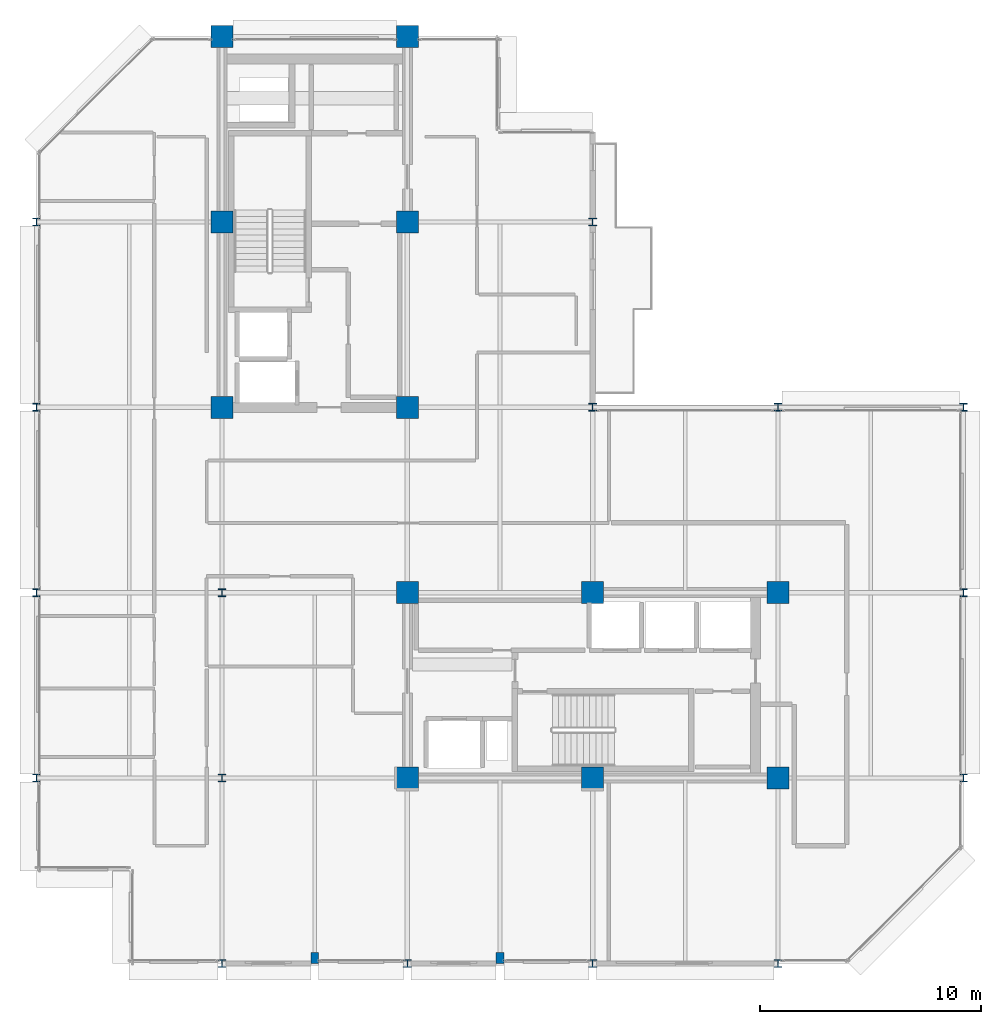
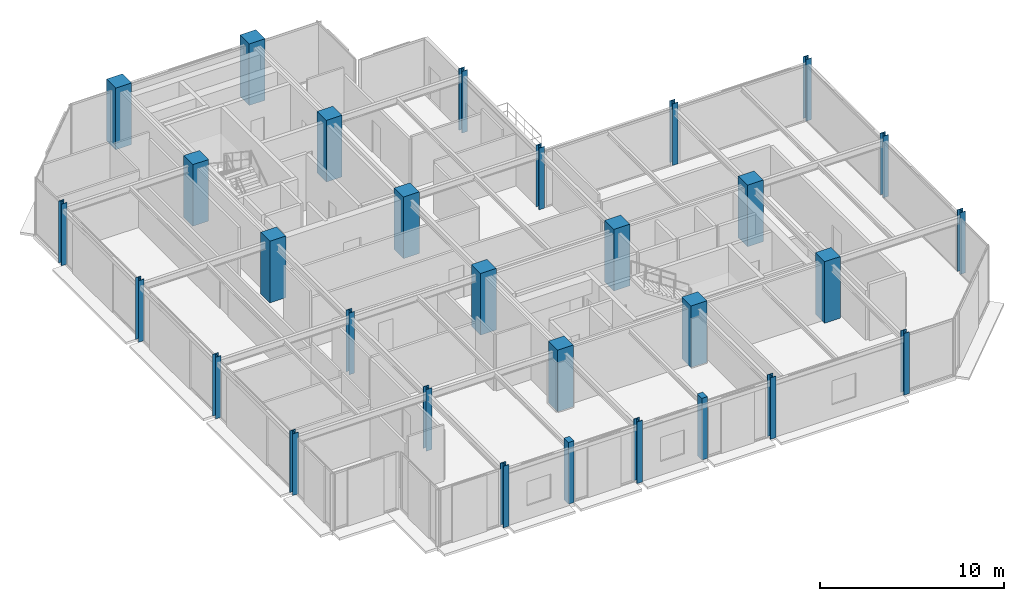
# One storey, part 1 of 26: 30 columns.
"""IFC4 building model written with IfcOpenShell, lengths in metres."""

from ifc_helpers import new_model, si_unit, direction, frame, origin, origin_2d, place, context, subcontext, project, spatial, rectangle, i_section, extrude, material, material_profile, profile_set, type_object, element, save


model = new_model("IFC4")

# Units and contexts
model_context = context("Model", 3, precision=1e-05, world=origin(), true_north=direction((0.0, 1.0)))
body_context = subcontext(model_context, "Body", "Model", "MODEL_VIEW")
ifc_project = project(units=[si_unit("LENGTHUNIT", "METRE"), si_unit("AREAUNIT", "SQUARE_METRE"), si_unit("VOLUMEUNIT", "CUBIC_METRE"), si_unit("PLANEANGLEUNIT", "RADIAN"), si_unit("MASSUNIT", "GRAM", prefix="KILO")], contexts=[model_context])

# Site, building, storey
site_placement = place(None, origin())
site = spatial("IfcSite", under=ifc_project, at=site_placement, CompositionType="ELEMENT")
building_placement = place(site_placement, origin())
building = spatial("IfcBuilding", under=site, at=building_placement, Name="Nerrivon Quay Data Exchange", CompositionType="ELEMENT")
storey_placement = place(building_placement, frame((0.0, 0.0, 241.10009765625)))
storey = spatial("IfcBuildingStorey", under=building, at=storey_placement, Name="L57", CompositionType="ELEMENT", Elevation=241.10009765625)

# Columns
ifc_material_1 = material(Name="Concrete S65 (65 MPa)", Category="concrete")
ifc_material_profile_1 = material_profile(ifc_material_1, rectangle(XDim=1.0, YDim=1.0, at=origin_2d()), Name="RC-COL-1000x1000")
ifc_profile_set_1 = profile_set([ifc_material_profile_1], Name="Concrete S65 (65 MPa)")
column_type_1 = type_object("IfcColumnType", Name="COL-C4-1000", PredefinedType="COLUMN", material=ifc_profile_set_1)
for number, where, z_axis, x_axis, name in (
    (1, (8.39990234375, 25.199951171875, 0.0), (0.0, 0.0, 1.0), (1.0, 0.0, 0.0), "L57 Column (8.4,25.2)"),
    (2, (8.39990234375, 33.60009765625, 0.0), (0.0, 0.0, 1.0), (1.0, 0.0, 0.0), "L57 Column (8.4,33.6)"),
    (3, (8.39990234375, 42.0, 0.0), (0.0, 0.0, 1.0), (1.0, 0.0, 0.0), "L57 Column (8.4,42.0)"),
    (4, (16.800048828125, 8.39990234375, 0.0), (0.0, 0.0, 1.0), (1.0, 0.0, 0.0), "L57 Column (16.8,8.4)"),
    (5, (16.800048828125, 16.800048828125, 0.0), (0.0, 0.0, 1.0), (1.0, 0.0, 0.0), "L57 Column (16.8,16.8)"),
    (6, (16.800048828125, 25.199951171875, 0.0), (0.0, 0.0, 1.0), (1.0, 0.0, 0.0), "L57 Column (16.8,25.2)"),
    (7, (16.800048828125, 33.60009765625, 0.0), (0.0, 0.0, 1.0), (1.0, 0.0, 0.0), "L57 Column (16.8,33.6)"),
    (8, (16.800048828125, 42.0, 0.0), (0.0, 0.0, 1.0), (1.0, 0.0, 0.0), "L57 Column (16.8,42.0)"),
    (9, (25.199951171875, 8.39990234375, 0.0), (0.0, 0.0, 1.0), (1.0, 0.0, 0.0), "L57 Column (25.2,8.4)"),
    (10, (25.199951171875, 16.800048828125, 0.0), (0.0, 0.0, 1.0), (1.0, 0.0, 0.0), "L57 Column (25.2,16.8)"),
    (11, (33.60009765625, 8.39990234375, 0.0), (0.0, 0.0, 1.0), (1.0, 0.0, 0.0), "L57 Column (33.6,8.4)"),
    (12, (33.60009765625, 16.800048828125, 0.0), (0.0, 0.0, 1.0), (1.0, 0.0, 0.0), "L57 Column (33.6,16.8)"),
):
    element("IfcColumn", number, at=place(storey_placement, frame(where, z_axis=z_axis, x_axis=x_axis)), inside=storey, type_object=column_type_1, Name=name, PredefinedType="COLUMN", context=body_context, shape_type="SweptSolid", body=[
        extrude(rectangle(XDim=1.0, YDim=1.0, at=origin_2d()), origin(), (0.0, 0.0, 1.0), 4.099853515625),
    ])
ifc_material_2 = material(Name="Steel Grade 350", Category="steel")
ifc_material_profile_2 = material_profile(ifc_material_2, i_section(OverallWidth=0.35009765625, OverallDepth=0.35009765625, WebThickness=0.02001953125, FlangeThickness=0.031982421875, at=origin_2d()), Name="350WC230")
ifc_profile_set_2 = profile_set([ifc_material_profile_2], Name="Steel Grade 350")
column_type_2 = type_object("IfcColumnType", Name="COL-SC3-350WC", PredefinedType="COLUMN", material=ifc_profile_set_2)
for number, where, z_axis, x_axis, name in (
    (13, (0.0, 8.39990234375, 0.0), (0.0, 0.0, 1.0), (1.0, 0.0, 0.0), "L57 Column (0.0,8.4)"),
    (14, (0.0, 16.800048828125, 0.0), (0.0, 0.0, 1.0), (1.0, 0.0, 0.0), "L57 Column (0.0,16.8)"),
    (15, (0.0, 25.199951171875, 0.0), (0.0, 0.0, 1.0), (1.0, 0.0, 0.0), "L57 Column (0.0,25.2)"),
    (16, (0.0, 33.60009765625, 0.0), (0.0, 0.0, 1.0), (1.0, 0.0, 0.0), "L57 Column (0.0,33.6)"),
    (17, (8.39990234375, 0.0, 0.0), (0.0, 0.0, 1.0), (1.0, 0.0, 0.0), "L57 Column (8.4,0.0)"),
    (18, (8.39990234375, 8.39990234375, 0.0), (0.0, 0.0, 1.0), (1.0, 0.0, 0.0), "L57 Column (8.4,8.4)"),
    (19, (8.39990234375, 16.800048828125, 0.0), (0.0, 0.0, 1.0), (1.0, 0.0, 0.0), "L57 Column (8.4,16.8)"),
    (20, (16.800048828125, 0.0, 0.0), (0.0, 0.0, 1.0), (1.0, 0.0, 0.0), "L57 Column (16.8,0.0)"),
    (21, (25.199951171875, 0.0, 0.0), (0.0, 0.0, 1.0), (1.0, 0.0, 0.0), "L57 Column (25.2,0.0)"),
    (22, (25.199951171875, 25.199951171875, 0.0), (0.0, 0.0, 1.0), (1.0, 0.0, 0.0), "L57 Column (25.2,25.2)"),
    (23, (25.199951171875, 33.60009765625, 0.0), (0.0, 0.0, 1.0), (1.0, 0.0, 0.0), "L57 Column (25.2,33.6)"),
    (24, (33.60009765625, 0.0, 0.0), (0.0, 0.0, 1.0), (1.0, 0.0, 0.0), "L57 Column (33.6,0.0)"),
    (25, (33.60009765625, 25.199951171875, 0.0), (0.0, 0.0, 1.0), (1.0, 0.0, 0.0), "L57 Column (33.6,25.2)"),
    (26, (42.0, 8.39990234375, 0.0), (0.0, 0.0, 1.0), (1.0, 0.0, 0.0), "L57 Column (42.0,8.4)"),
    (27, (42.0, 16.800048828125, 0.0), (0.0, 0.0, 1.0), (1.0, 0.0, 0.0), "L57 Column (42.0,16.8)"),
    (28, (42.0, 25.199951171875, 0.0), (0.0, 0.0, 1.0), (1.0, 0.0, 0.0), "L57 Column (42.0,25.2)"),
):
    element("IfcColumn", number, at=place(storey_placement, frame(where, z_axis=z_axis, x_axis=x_axis)), inside=storey, type_object=column_type_2, Name=name, PredefinedType="COLUMN", context=body_context, shape_type="SweptSolid", body=[
        extrude(i_section(OverallWidth=0.35009765625, OverallDepth=0.35009765625, WebThickness=0.02001953125, FlangeThickness=0.031982421875, at=origin_2d()), origin(), (0.0, 0.0, 1.0), 4.099853515625),
    ])
ifc_material_3 = material(Name="Concrete N50 (50 MPa)", Category="concrete")
ifc_material_profile_3 = material_profile(ifc_material_3, rectangle(XDim=0.35009765625, YDim=0.5, at=origin_2d()), Name="RC-PIL-500x350")
ifc_profile_set_3 = profile_set([ifc_material_profile_3], Name="Concrete N50 (50 MPa)")
column_type_3 = type_object("IfcColumnType", Name="PIL-P2-500x350", PredefinedType="PILASTER", material=ifc_profile_set_3)
for number, where, z_axis, x_axis, name in (
    (29, (12.60009765625, 0.25, 0.0), (0.0, 0.0, 1.0), (1.0, 0.0, 0.0), "L57 Facade Pilaster (12.6)"),
    (30, (21.0, 0.25, 0.0), (0.0, 0.0, 1.0), (1.0, 0.0, 0.0), "L57 Facade Pilaster (21.0)"),
):
    element("IfcColumn", number, at=place(storey_placement, frame(where, z_axis=z_axis, x_axis=x_axis)), inside=storey, type_object=column_type_3, Name=name, PredefinedType="PILASTER", context=body_context, shape_type="SweptSolid", body=[
        extrude(rectangle(XDim=0.35009765625, YDim=0.5, at=origin_2d()), origin(), (0.0, 0.0, 1.0), 4.099853515625),
    ])

save(model, "model.ifc")
